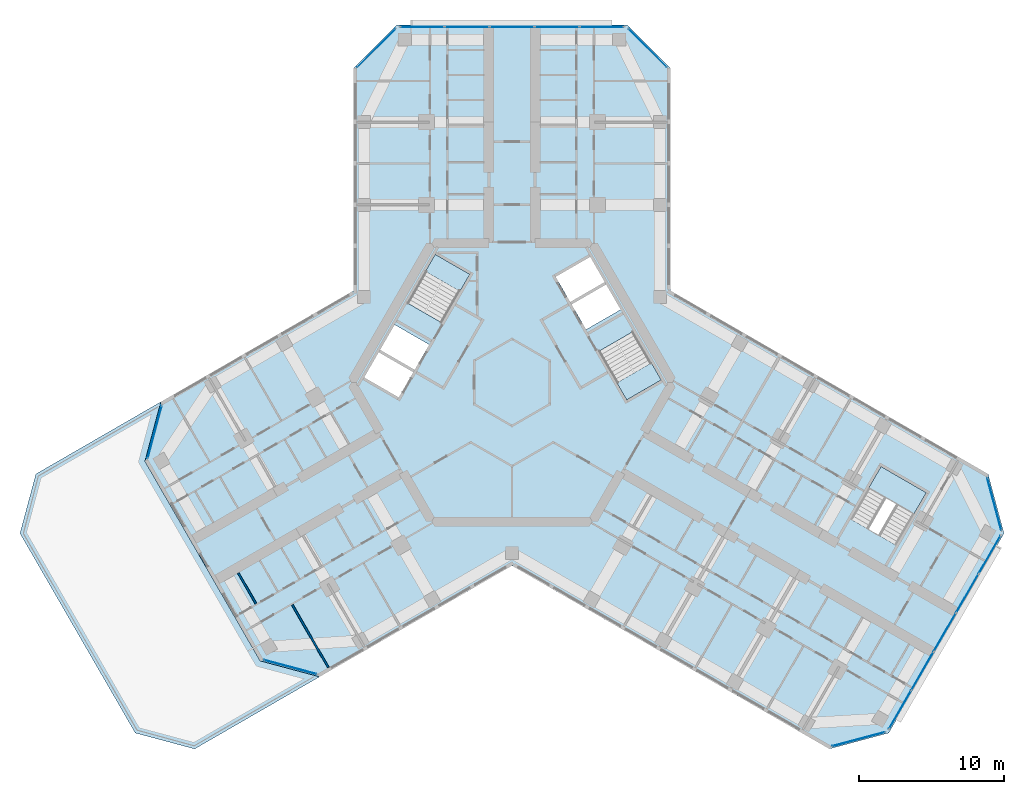
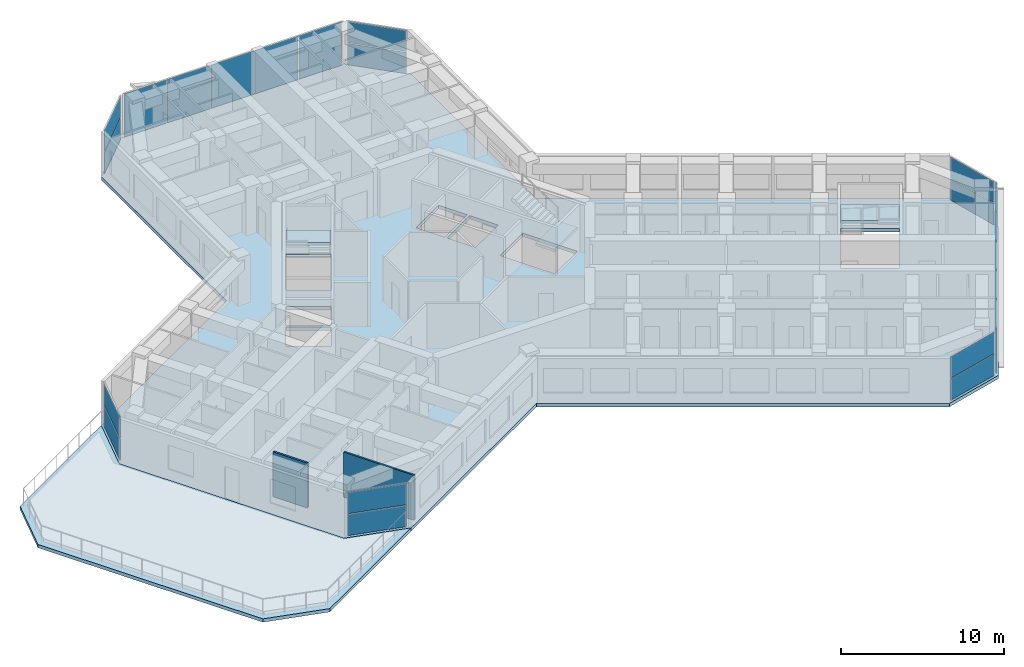
# One storey, part 7 of 17: 22 plates, 5 slabs, 2 walls, 11 elements without a shape of their own.
"""IFC4 building model written with IfcOpenShell, lengths in metres."""

from ifc_helpers import new_model, si_unit, direction, frame, frame_2d, origin, origin_2d, place, context, subcontext, project, spatial, polyline, rectangle, outline, extrude, material, layer, layer_set, type_object, element, aggregate, save


model = new_model("IFC4")

# Units and contexts
model_context = context("Model", 3, precision=1e-05, world=origin(), true_north=direction((0.0, 1.0)))
body_context = subcontext(model_context, "Body", "Model", "MODEL_VIEW")
ifc_project = project(units=[si_unit("LENGTHUNIT", "METRE"), si_unit("AREAUNIT", "SQUARE_METRE"), si_unit("VOLUMEUNIT", "CUBIC_METRE"), si_unit("PLANEANGLEUNIT", "RADIAN"), si_unit("MASSUNIT", "GRAM", prefix="KILO")], contexts=[model_context])

# Site, building, storey
site_placement = place(None, origin())
site = spatial("IfcSite", under=ifc_project, at=site_placement, CompositionType="ELEMENT")
building_placement = place(site_placement, origin())
building = spatial("IfcBuilding", under=site, at=building_placement, Name="Kosmar Iwan School Tower", CompositionType="ELEMENT")
storey_placement = place(building_placement, frame((0.0, 0.0, 193.800048828125)))
storey = spatial("IfcBuildingStorey", under=building, at=storey_placement, Name="L48", CompositionType="ELEMENT", Elevation=193.800048828125)

# Curtain wall, plates
ifc_material_1 = material(Name="Dark glass in black aluminium frame", Category="aluminium")
curtain_wall_type_1 = type_object("IfcCurtainWallType", Name="Chamfer curtain wall dark glass", PredefinedType="USERDEFINED", material=ifc_material_1)
curtain_wall_1_placement = place(storey_placement, origin())
curtain_wall_1 = element("IfcCurtainWall", 1, at=curtain_wall_1_placement, inside=storey, type_object=curtain_wall_type_1, Name="Curtain wall L48-F00", ObjectType="FACETED CURTAIN WALL", PredefinedType="USERDEFINED")
ifc_material_2 = material(Name="Dark glass", Category="glass")
ifc_layer_1 = layer(ifc_material_2, 0.028076171875)
ifc_layer_set_1 = layer_set([ifc_layer_1], Name="Dark glass panel 28")
plate_type = type_object("IfcPlateType", Name="Dark glass panel 28", PredefinedType="CURTAIN_PANEL", material=ifc_layer_set_1)
plate_1_placement = place(storey_placement, frame((23.908203125, -24.61328125, 0.06005859375), z_axis=(0.0, 0.0, 1.0), x_axis=(0.965925875495, 0.258818861462, 0.0)))
plate_1 = element("IfcPlate", 2, at=plate_1_placement, type_object=plate_type, Name="CW2 panel 1.1", PredefinedType="CURTAIN_PANEL", context=body_context, shape_type="SweptSolid", body=[
    extrude(rectangle(XDim=3.718994140625, YDim=0.028076171875, at=origin_2d()), origin(), (0.0, 0.0, 1.0), 1.5849609375),
])
plate_2_placement = place(storey_placement, frame((23.908203125, -24.61328125, 1.705078125), z_axis=(0.0, 0.0, 1.0), x_axis=(0.965925875495, 0.258818861462, 0.0)))
plate_2 = element("IfcPlate", 3, at=plate_2_placement, type_object=plate_type, Name="CW2 panel 1.2", PredefinedType="CURTAIN_PANEL", context=body_context, shape_type="SweptSolid", body=[
    extrude(rectangle(XDim=3.718994140625, YDim=0.028076171875, at=origin_2d()), origin(), (0.0, 0.0, 1.0), 1.5849609375),
])
aggregate(curtain_wall_1, [plate_1, plate_2])

ifc_material_3 = material(Name="Dark glass in black aluminium frame", Category="aluminium")
curtain_wall_type_2 = type_object("IfcCurtainWallType", Name="Tower curtain wall dark glass", PredefinedType="USERDEFINED", material=ifc_material_3)
curtain_wall_2_placement = place(storey_placement, origin())
curtain_wall_2 = element("IfcCurtainWall", 4, at=curtain_wall_2_placement, inside=storey, type_object=curtain_wall_type_2, Name="Curtain wall L48-F01", ObjectType="UNITISED CURTAIN WALL", PredefinedType="USERDEFINED")
plate_3_placement = place(storey_placement, frame((26.764404296875, -22.592529296875, 0.06005859375), z_axis=(0.0, 0.0, 1.0), x_axis=(0.499999997325, 0.866025405329, 0.0)))
plate_3 = element("IfcPlate", 5, at=plate_3_placement, type_object=plate_type, Name="CW1 panel 1.1", PredefinedType="CURTAIN_PANEL", context=body_context, shape_type="SweptSolid", body=[
    extrude(rectangle(XDim=3.00927734375, YDim=0.028076171875, at=origin_2d()), origin(), (0.0, 0.0, 1.0), 3.22998046875),
])
plate_4_placement = place(storey_placement, frame((28.306640625, -19.921630859375, 0.06005859375), z_axis=(0.0, 0.0, 1.0), x_axis=(0.499999997325, 0.866025405329, 0.0)))
plate_4 = element("IfcPlate", 6, at=plate_4_placement, type_object=plate_type, Name="CW1 panel 2.1", PredefinedType="CURTAIN_PANEL", context=body_context, shape_type="SweptSolid", body=[
    extrude(rectangle(XDim=3.039306640625, YDim=0.028076171875, at=origin_2d()), origin(), (0.0, 0.0, 1.0), 3.22998046875),
])
plate_5_placement = place(storey_placement, frame((29.856201171875, -17.237548828125, 0.06005859375), z_axis=(0.0, 0.0, 1.0), x_axis=(0.499999997325, 0.866025405329, 0.0)))
plate_5 = element("IfcPlate", 7, at=plate_5_placement, type_object=plate_type, Name="CW1 panel 3.1", PredefinedType="CURTAIN_PANEL", context=body_context, shape_type="SweptSolid", body=[
    extrude(rectangle(XDim=3.039306640625, YDim=0.028076171875, at=origin_2d()), origin(), (0.0, 0.0, 1.0), 3.22998046875),
])
plate_6_placement = place(storey_placement, frame((31.40576171875, -14.553466796875, 0.06005859375), z_axis=(0.0, 0.0, 1.0), x_axis=(0.499999997325, 0.866025405329, 0.0)))
plate_6 = element("IfcPlate", 8, at=plate_6_placement, type_object=plate_type, Name="CW1 panel 4.1", PredefinedType="CURTAIN_PANEL", context=body_context, shape_type="SweptSolid", body=[
    extrude(rectangle(XDim=3.039306640625, YDim=0.028076171875, at=origin_2d()), origin(), (0.0, 0.0, 1.0), 3.22998046875),
])
plate_7_placement = place(storey_placement, frame((32.947998046875, -11.88232421875, 0.06005859375), z_axis=(0.0, 0.0, 1.0), x_axis=(0.499999997325, 0.866025405329, 0.0)))
plate_7 = element("IfcPlate", 9, at=plate_7_placement, type_object=plate_type, Name="CW1 panel 5.1", PredefinedType="CURTAIN_PANEL", context=body_context, shape_type="SweptSolid", body=[
    extrude(rectangle(XDim=3.00927734375, YDim=0.028076171875, at=origin_2d()), origin(), (0.0, 0.0, 1.0), 3.22998046875),
])
aggregate(curtain_wall_2, [plate_3, plate_4, plate_5, plate_6, plate_7])

curtain_wall_3_placement = place(storey_placement, origin())
curtain_wall_3 = element("IfcCurtainWall", 10, at=curtain_wall_3_placement, inside=storey, type_object=curtain_wall_type_1, Name="Curtain wall L48-F02", ObjectType="FACETED CURTAIN WALL", PredefinedType="USERDEFINED")
plate_8_placement = place(storey_placement, frame((33.269775390625, -8.3984375, 0.06005859375), z_axis=(0.0, 0.0, 1.0), x_axis=(-0.258818861462, 0.965925875495, 0.0)))
plate_8 = element("IfcPlate", 11, at=plate_8_placement, type_object=plate_type, Name="CW2 panel 1.1", PredefinedType="CURTAIN_PANEL", context=body_context, shape_type="SweptSolid", body=[
    extrude(rectangle(XDim=3.718994140625, YDim=0.028076171875, at=origin_2d()), origin(), (0.0, 0.0, 1.0), 1.5849609375),
])
plate_9_placement = place(storey_placement, frame((33.269775390625, -8.3984375, 1.705078125), z_axis=(0.0, 0.0, 1.0), x_axis=(-0.258818861462, 0.965925875495, 0.0)))
plate_9 = element("IfcPlate", 12, at=plate_9_placement, type_object=plate_type, Name="CW2 panel 1.2", PredefinedType="CURTAIN_PANEL", context=body_context, shape_type="SweptSolid", body=[
    extrude(rectangle(XDim=3.718994140625, YDim=0.028076171875, at=origin_2d()), origin(), (0.0, 0.0, 1.0), 1.5849609375),
])
aggregate(curtain_wall_3, [plate_8, plate_9])

curtain_wall_4_placement = place(storey_placement, origin())
curtain_wall_4 = element("IfcCurtainWall", 13, at=curtain_wall_4_placement, inside=storey, type_object=curtain_wall_type_1, Name="Curtain wall L48-F05", ObjectType="FACETED CURTAIN WALL", PredefinedType="USERDEFINED")
plate_10_placement = place(storey_placement, frame((9.361572265625, 23.0615234375, 0.06005859375), z_axis=(0.0, 0.0, 1.0), x_axis=(-0.707106781187, 0.707106781187, 0.0)))
plate_10 = element("IfcPlate", 14, at=plate_10_placement, type_object=plate_type, Name="CW2 panel 1.1", PredefinedType="CURTAIN_PANEL", context=body_context, shape_type="SweptSolid", body=[
    extrude(rectangle(XDim=3.718994140625, YDim=0.028076171875, at=origin_2d()), origin(), (0.0, 0.0, 1.0), 1.5849609375),
])
plate_11_placement = place(storey_placement, frame((9.361572265625, 23.0615234375, 1.705078125), z_axis=(0.0, 0.0, 1.0), x_axis=(-0.707106781187, 0.707106781187, 0.0)))
plate_11 = element("IfcPlate", 15, at=plate_11_placement, type_object=plate_type, Name="CW2 panel 1.2", PredefinedType="CURTAIN_PANEL", context=body_context, shape_type="SweptSolid", body=[
    extrude(rectangle(XDim=3.718994140625, YDim=0.028076171875, at=origin_2d()), origin(), (0.0, 0.0, 1.0), 1.5849609375),
])
aggregate(curtain_wall_4, [plate_10, plate_11])

curtain_wall_5_placement = place(storey_placement, origin())
curtain_wall_5 = element("IfcCurtainWall", 16, at=curtain_wall_5_placement, inside=storey, type_object=curtain_wall_type_2, Name="Curtain wall L48-F06", ObjectType="UNITISED CURTAIN WALL", PredefinedType="USERDEFINED")
plate_12_placement = place(storey_placement, frame((6.18359375, 24.52490234375, 0.06005859375), z_axis=(0.0, 0.0, 1.0), x_axis=(-1.0, 0.0, 0.0)))
plate_12 = element("IfcPlate", 17, at=plate_12_placement, type_object=plate_type, Name="CW1 panel 1.1", PredefinedType="CURTAIN_PANEL", context=body_context, shape_type="SweptSolid", body=[
    extrude(rectangle(XDim=3.00927734375, YDim=0.028076171875, at=origin_2d()), origin(), (0.0, 0.0, 1.0), 3.22998046875),
])
plate_13_placement = place(storey_placement, frame((3.099365234375, 24.52490234375, 0.06005859375), z_axis=(0.0, 0.0, 1.0), x_axis=(-1.0, 0.0, 0.0)))
plate_13 = element("IfcPlate", 18, at=plate_13_placement, type_object=plate_type, Name="CW1 panel 2.1", PredefinedType="CURTAIN_PANEL", context=body_context, shape_type="SweptSolid", body=[
    extrude(rectangle(XDim=3.039306640625, YDim=0.028076171875, at=origin_2d()), origin(), (0.0, 0.0, 1.0), 3.22998046875),
])
plate_14_placement = place(storey_placement, frame((0.0, 24.52490234375, 0.06005859375), z_axis=(0.0, 0.0, 1.0), x_axis=(-1.0, 0.0, 0.0)))
plate_14 = element("IfcPlate", 19, at=plate_14_placement, type_object=plate_type, Name="CW1 panel 3.1", PredefinedType="CURTAIN_PANEL", context=body_context, shape_type="SweptSolid", body=[
    extrude(rectangle(XDim=3.039306640625, YDim=0.028076171875, at=origin_2d()), origin(), (0.0, 0.0, 1.0), 3.22998046875),
])
plate_15_placement = place(storey_placement, frame((-3.099365234375, 24.52490234375, 0.06005859375), z_axis=(0.0, 0.0, 1.0), x_axis=(-1.0, 0.0, 0.0)))
plate_15 = element("IfcPlate", 20, at=plate_15_placement, type_object=plate_type, Name="CW1 panel 4.1", PredefinedType="CURTAIN_PANEL", context=body_context, shape_type="SweptSolid", body=[
    extrude(rectangle(XDim=3.039306640625, YDim=0.028076171875, at=origin_2d()), origin(), (0.0, 0.0, 1.0), 3.22998046875),
])
plate_16_placement = place(storey_placement, frame((-6.18359375, 24.52490234375, 0.06005859375), z_axis=(0.0, 0.0, 1.0), x_axis=(-1.0, 0.0, 0.0)))
plate_16 = element("IfcPlate", 21, at=plate_16_placement, type_object=plate_type, Name="CW1 panel 5.1", PredefinedType="CURTAIN_PANEL", context=body_context, shape_type="SweptSolid", body=[
    extrude(rectangle(XDim=3.00927734375, YDim=0.028076171875, at=origin_2d()), origin(), (0.0, 0.0, 1.0), 3.22998046875),
])
aggregate(curtain_wall_5, [plate_12, plate_13, plate_14, plate_15, plate_16])

curtain_wall_6_placement = place(storey_placement, origin())
curtain_wall_6 = element("IfcCurtainWall", 22, at=curtain_wall_6_placement, inside=storey, type_object=curtain_wall_type_1, Name="Curtain wall L48-F07", ObjectType="FACETED CURTAIN WALL", PredefinedType="USERDEFINED")
plate_17_placement = place(storey_placement, frame((-9.361572265625, 23.0615234375, 0.06005859375), z_axis=(0.0, 0.0, 1.0), x_axis=(-0.707106781187, -0.707106781187, 0.0)))
plate_17 = element("IfcPlate", 23, at=plate_17_placement, type_object=plate_type, Name="CW2 panel 1.1", PredefinedType="CURTAIN_PANEL", context=body_context, shape_type="SweptSolid", body=[
    extrude(rectangle(XDim=3.718994140625, YDim=0.028076171875, at=origin_2d()), origin(), (0.0, 0.0, 1.0), 1.5849609375),
])
plate_18_placement = place(storey_placement, frame((-9.361572265625, 23.0615234375, 1.705078125), z_axis=(0.0, 0.0, 1.0), x_axis=(-0.707106781187, -0.707106781187, 0.0)))
plate_18 = element("IfcPlate", 24, at=plate_18_placement, type_object=plate_type, Name="CW2 panel 1.2", PredefinedType="CURTAIN_PANEL", context=body_context, shape_type="SweptSolid", body=[
    extrude(rectangle(XDim=3.718994140625, YDim=0.028076171875, at=origin_2d()), origin(), (0.0, 0.0, 1.0), 1.5849609375),
])
aggregate(curtain_wall_6, [plate_17, plate_18])

curtain_wall_7_placement = place(storey_placement, origin())
curtain_wall_7 = element("IfcCurtainWall", 25, at=curtain_wall_7_placement, inside=storey, type_object=curtain_wall_type_1, Name="Curtain wall L48-F10", ObjectType="FACETED CURTAIN WALL", PredefinedType="USERDEFINED")
plate_19_placement = place(storey_placement, frame((-24.65283203125, -3.42333984375, 0.06005859375), z_axis=(0.0, 0.0, 1.0), x_axis=(-0.258818861462, -0.965925875495, 0.0)))
plate_19 = element("IfcPlate", 26, at=plate_19_placement, type_object=plate_type, Name="CW2 panel 1.1", PredefinedType="CURTAIN_PANEL", context=body_context, shape_type="SweptSolid", body=[
    extrude(rectangle(XDim=3.718994140625, YDim=0.028076171875, at=origin_2d()), origin(), (0.0, 0.0, 1.0), 1.5849609375),
])
plate_20_placement = place(storey_placement, frame((-24.65283203125, -3.42333984375, 1.705078125), z_axis=(0.0, 0.0, 1.0), x_axis=(-0.258818861462, -0.965925875495, 0.0)))
plate_20 = element("IfcPlate", 27, at=plate_20_placement, type_object=plate_type, Name="CW2 panel 1.2", PredefinedType="CURTAIN_PANEL", context=body_context, shape_type="SweptSolid", body=[
    extrude(rectangle(XDim=3.718994140625, YDim=0.028076171875, at=origin_2d()), origin(), (0.0, 0.0, 1.0), 1.5849609375),
])
aggregate(curtain_wall_7, [plate_19, plate_20])

curtain_wall_8_placement = place(storey_placement, origin())
curtain_wall_8 = element("IfcCurtainWall", 28, at=curtain_wall_8_placement, inside=storey, type_object=curtain_wall_type_1, Name="Curtain wall L48-F12", ObjectType="FACETED CURTAIN WALL", PredefinedType="USERDEFINED")
plate_21_placement = place(storey_placement, frame((-15.291015625, -19.63818359375, 0.06005859375), z_axis=(0.0, 0.0, 1.0), x_axis=(0.965925875495, -0.258818861462, 0.0)))
plate_21 = element("IfcPlate", 29, at=plate_21_placement, type_object=plate_type, Name="CW2 panel 1.1", PredefinedType="CURTAIN_PANEL", context=body_context, shape_type="SweptSolid", body=[
    extrude(rectangle(XDim=3.718994140625, YDim=0.028076171875, at=origin_2d()), origin(), (0.0, 0.0, 1.0), 1.5849609375),
])
plate_22_placement = place(storey_placement, frame((-15.291015625, -19.63818359375, 1.705078125), z_axis=(0.0, 0.0, 1.0), x_axis=(0.965925875495, -0.258818861462, 0.0)))
plate_22 = element("IfcPlate", 30, at=plate_22_placement, type_object=plate_type, Name="CW2 panel 1.2", PredefinedType="CURTAIN_PANEL", context=body_context, shape_type="SweptSolid", body=[
    extrude(rectangle(XDim=3.718994140625, YDim=0.028076171875, at=origin_2d()), origin(), (0.0, 0.0, 1.0), 1.5849609375),
])
aggregate(curtain_wall_8, [plate_21, plate_22])

# Stair, slab
ifc_material_4 = material(Name="Concrete C35/45", Category="concrete")
stair_type_1 = type_object("IfcStairType", Name="Escape stair 3600", PredefinedType="HALF_TURN_STAIR", material=ifc_material_4)
stair_1_placement = place(storey_placement, origin())
stair_1 = element("IfcStair", 31, at=stair_1_placement, inside=storey, type_object=stair_type_1, Name="Stair WS3 L48", PredefinedType="HALF_TURN_STAIR")
ifc_material_5 = material(Name="Concrete C35/45", Category="concrete")
ifc_layer_2 = layer(ifc_material_5, 0.199951171875)
ifc_layer_set_2 = layer_set([ifc_layer_2], Name="Escape stair landing 200")
slab_type_1 = type_object("IfcSlabType", Name="Escape stair landing 200", PredefinedType="LANDING", material=ifc_layer_set_2)
slab_1_placement = place(storey_placement, frame((0.0, 0.0, 1.599853515625)))
slab_1 = element("IfcSlab", 32, at=slab_1_placement, type_object=slab_type_1, Name="WS3 landing 1", PredefinedType="LANDING", context=body_context, shape_type="SweptSolid", body=[
    extrude(outline(polyline([(24.607421875, -7.27880859375), (27.72509765625, -9.078857421875), (28.574951171875, -7.606689453125), (25.457275390625, -5.806640625), (24.607421875, -7.27880859375)])), origin(), (0.0, 0.0, 1.0), 0.2001953125),
])
aggregate(stair_1, [slab_1])

# Slab
ifc_material_6 = material(Name="Concrete C35/45", Category="concrete")
ifc_layer_3 = layer(ifc_material_6, 0.25)
ifc_layer_set_3 = layer_set([ifc_layer_3], Name="Floor slab 250")
slab_type_2 = type_object("IfcSlabType", Name="Floor slab 250", PredefinedType="FLOOR", material=ifc_layer_set_3)
slab_2_placement = place(storey_placement, frame((0.0, 0.0, -0.25)))
element("IfcSlab", 33, at=slab_2_placement, inside=storey, type_object=slab_type_2, Name="L48 floor slab", PredefinedType="FLOOR", context=body_context, shape_type="SweptSolid", body=[
    extrude(outline(polyline([(21.891357421875, -25.282958984375), (25.989501953125, -24.184814453125), (33.939453125, -10.4150390625), (32.84130859375, -6.317138671875), (10.949951171875, 6.322021484375), (10.949951171875, 21.64990234375), (7.949951171875, 24.64990234375), (-7.949951171875, 24.64990234375), (-10.949951171875, 21.64990234375), (-10.949951171875, 6.322021484375), (-24.224365234375, -1.342041015625), (-25.322509765625, -5.440185546875), (-17.37255859375, -19.2099609375), (-13.2744140625, -20.307861328125), (0.0, -12.64404296875), (21.891357421875, -25.282958984375)]), holes=[polyline([(7.91259765625, -1.205078125), (10.294189453125, 0.169921875), (8.3642578125, 3.5126953125), (5.982666015625, 2.1376953125), (7.91259765625, -1.205078125)]), polyline([(-2.91259765625, 7.455078125), (-5.294189453125, 8.830078125), (-7.22412109375, 5.4873046875), (-4.8427734375, 4.1123046875), (-2.91259765625, 7.455078125)]), polyline([(-5.712646484375, 2.60546875), (-8.09423828125, 3.98046875), (-9.09423828125, 2.248291015625), (-6.712646484375, 0.873291015625), (-5.712646484375, 2.60546875)]), polyline([(-6.812744140625, 0.7001953125), (-9.1943359375, 2.0751953125), (-10.1943359375, 0.343017578125), (-7.812744140625, -1.031982421875), (-6.812744140625, 0.7001953125)]), polyline([(5.112548828125, 3.64453125), (7.494140625, 5.01953125), (6.494140625, 6.751708984375), (4.112548828125, 5.376708984375), (5.112548828125, 3.64453125)]), polyline([(4.0126953125, 5.5498046875), (6.394287109375, 6.9248046875), (5.394287109375, 8.656982421875), (3.0126953125, 7.281982421875), (4.0126953125, 5.5498046875)]), polyline([(23.367431640625, -9.426513671875), (26.485107421875, -11.2265625), (28.574951171875, -7.606689453125), (25.457275390625, -5.806640625), (23.367431640625, -9.426513671875)])]), origin(), (0.0, 0.0, 1.0), 0.25),
])

# Stair, slab
ifc_material_7 = material(Name="Concrete C35/45", Category="concrete")
stair_type_2 = type_object("IfcStairType", Name="Core stair 2750", PredefinedType="HALF_TURN_STAIR", material=ifc_material_7)
stair_2_placement = place(storey_placement, origin())
stair_2 = element("IfcStair", 34, at=stair_2_placement, inside=storey, type_object=stair_type_2, Name="Stair ST2 L48", PredefinedType="HALF_TURN_STAIR")
ifc_material_8 = material(Name="Concrete C35/45", Category="concrete")
ifc_layer_4 = layer(ifc_material_8, 0.199951171875)
ifc_layer_set_4 = layer_set([ifc_layer_4], Name="Stair landing 200")
slab_type_3 = type_object("IfcSlabType", Name="Stair landing 200", PredefinedType="LANDING", material=ifc_layer_set_4)
slab_3_placement = place(storey_placement, frame((0.0, 0.0, 1.599853515625)))
slab_3 = element("IfcSlab", 35, at=slab_3_placement, type_object=slab_type_3, Name="ST2 landing 1", PredefinedType="LANDING", context=body_context, shape_type="SweptSolid", body=[
    extrude(outline(polyline([(-2.91259765625, 7.455078125), (-5.294189453125, 8.830078125), (-5.97412109375, 7.65234375), (-3.5927734375, 6.27734375), (-2.91259765625, 7.455078125)])), origin(), (0.0, 0.0, 1.0), 0.2001953125),
])
aggregate(stair_2, [slab_3])

stair_3_placement = place(storey_placement, origin())
stair_3 = element("IfcStair", 36, at=stair_3_placement, inside=storey, type_object=stair_type_2, Name="Stair ST1 L48", PredefinedType="HALF_TURN_STAIR")
slab_4_placement = place(storey_placement, frame((0.0, 0.0, 1.599853515625)))
slab_4 = element("IfcSlab", 37, at=slab_4_placement, type_object=slab_type_3, Name="ST1 landing 1", PredefinedType="LANDING", context=body_context, shape_type="SweptSolid", body=[
    extrude(outline(polyline([(7.91259765625, -1.205078125), (10.294189453125, 0.169921875), (9.6142578125, 1.34765625), (7.232666015625, -0.02734375), (7.91259765625, -1.205078125)])), origin(), (0.0, 0.0, 1.0), 0.2001953125),
])
aggregate(stair_3, [slab_4])

# Slab
ifc_material_9 = material(Name="Concrete C35/45", Category="concrete")
ifc_layer_5 = layer(ifc_material_9, 0.25)
ifc_layer_set_5 = layer_set([ifc_layer_5], Name="Terrace slab 250")
slab_type_4 = type_object("IfcSlabType", Name="Terrace slab 250", PredefinedType="FLOOR", material=ifc_layer_set_5)
slab_5_placement = place(storey_placement, frame((0.0, 0.0, -0.25)))
element("IfcSlab", 38, at=slab_5_placement, inside=storey, type_object=slab_type_4, Name="Maintenance roof wing B", PredefinedType="FLOOR", context=body_context, shape_type="SweptSolid", body=[
    extrude(outline(polyline([(-21.891357421875, -25.282958984375), (-13.2744140625, -20.307861328125), (-17.37255859375, -19.2099609375), (-25.322509765625, -5.440185546875), (-24.224365234375, -1.342041015625), (-5.47509765625, 9.48291015625), (-32.84130859375, -6.317138671875), (-33.939453125, -10.4150390625), (-25.989501953125, -24.184814453125), (-21.891357421875, -25.282958984375)])), origin(), (0.0, 0.0, 1.0), 0.25),
])

# Walls
ifc_material_10 = material(Name="Gypsum board on steel studs", Category="steel")
ifc_layer_6 = layer(ifc_material_10, 0.1201171875)
ifc_layer_set_6 = layer_set([ifc_layer_6], Name="Dwelling partition 120")
wall_type = type_object("IfcWallType", Name="Dwelling partition 120", PredefinedType="PARTITIONING", material=ifc_layer_set_6)
wall_1_placement = place(storey_placement, frame((-15.158447265625, -15.344970703125, 0.0), z_axis=(0.0, 0.0, 1.0), x_axis=(0.500011847778, -0.866018563358, 0.0)))
element("IfcWall", 39, at=wall_1_placement, inside=storey, type_object=wall_type, Name="Partition L48-BL1-X3", PredefinedType="PARTITIONING", context=body_context, shape_type="SweptSolid", body=[
    extrude(rectangle(XDim=4.990234375, YDim=0.1201171875, at=frame_2d((2.4951171875, 0.0))), origin(), (0.0, 0.0, 1.0), 3.349853515625),
])
wall_2_placement = place(storey_placement, frame((-18.88134765625, -13.15283203125, 0.0), z_axis=(0.0, 0.0, 1.0), x_axis=(0.500002508028, -0.866023955769, 0.0)))
element("IfcWall", 40, at=wall_2_placement, inside=storey, type_object=wall_type, Name="Partition L48-BL1-Y6", PredefinedType="PARTITIONING", context=body_context, shape_type="SweptSolid", body=[
    extrude(rectangle(XDim=2.43994140625, YDim=0.1201171875, at=frame_2d((1.219970703125, 0.0))), origin(), (0.0, 0.0, 1.0), 3.349853515625),
])

save(model, "model.ifc")
